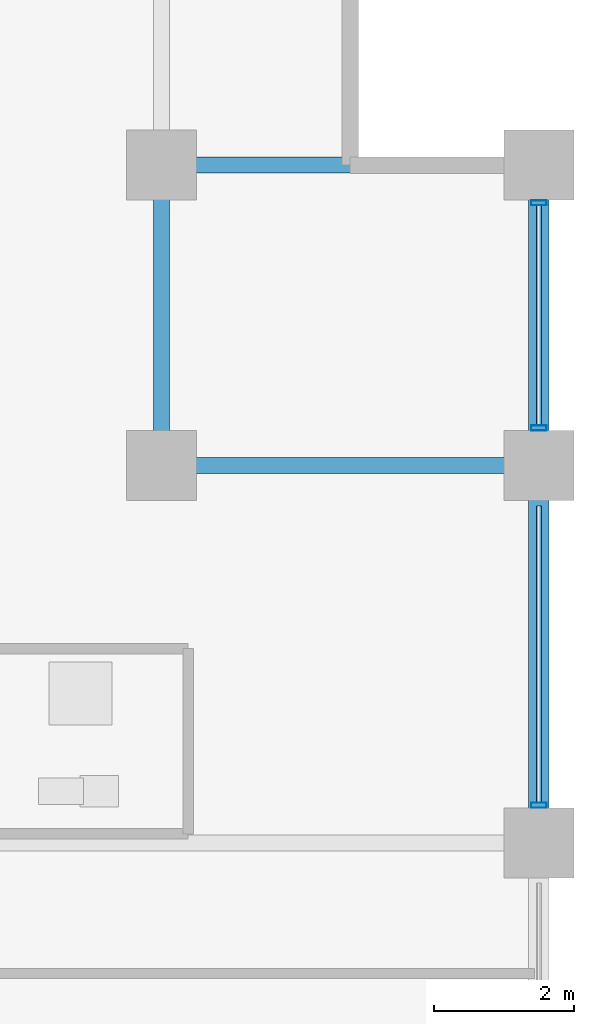
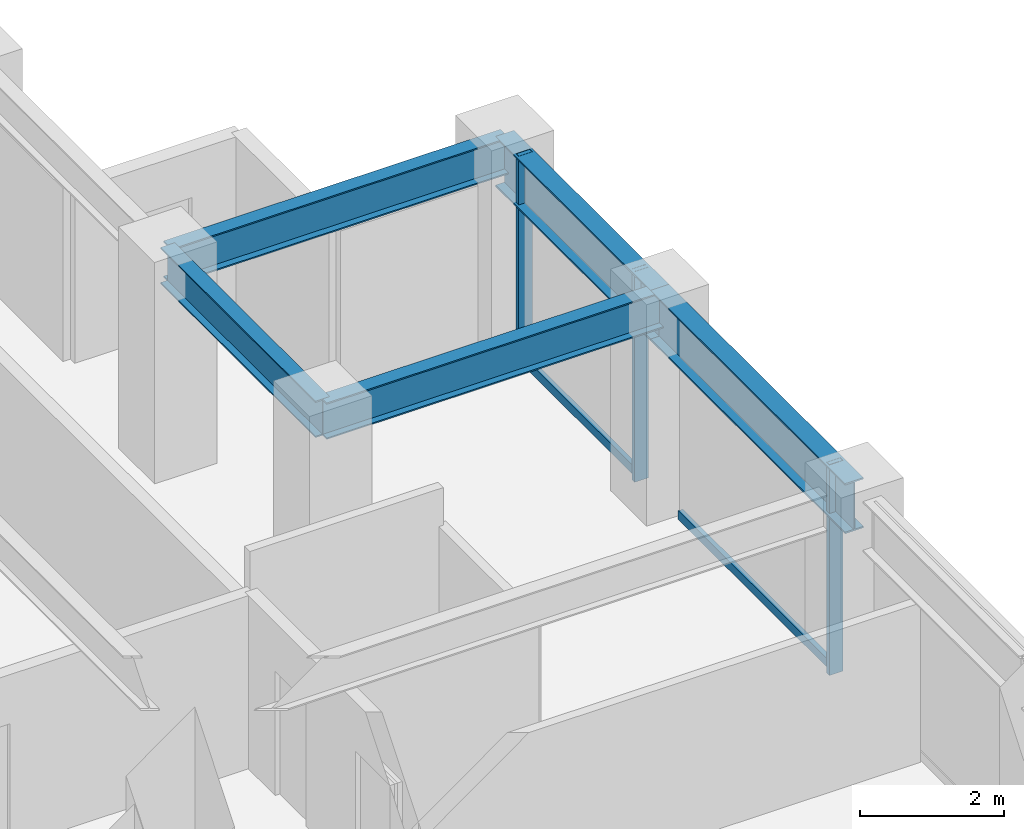
# One storey, part 15 of 23: 5 beams, 5 members, 1 element without a shape of its own.
"""IFC4 building model written with IfcOpenShell, lengths in metres."""

from ifc_helpers import new_model, si_unit, direction, frame, origin, origin_2d, place, context, subcontext, project, spatial, hollow_rectangle, i_section, extrude, material, layer, layer_set, material_profile, profile_set, type_object, element, aggregate, save


model = new_model("IFC4")

# Units and contexts
model_context = context("Model", 3, precision=1e-05, world=origin(), true_north=direction((0.0, 1.0)))
body_context = subcontext(model_context, "Body", "Model", "MODEL_VIEW")
ifc_project = project(units=[si_unit("LENGTHUNIT", "METRE"), si_unit("AREAUNIT", "SQUARE_METRE"), si_unit("VOLUMEUNIT", "CUBIC_METRE"), si_unit("PLANEANGLEUNIT", "RADIAN"), si_unit("MASSUNIT", "GRAM", prefix="KILO")], contexts=[model_context])

# Site, building, storey
site_placement = place(None, origin())
site = spatial("IfcSite", under=ifc_project, at=site_placement, CompositionType="ELEMENT")
building_placement = place(site_placement, origin())
building = spatial("IfcBuilding", under=site, at=building_placement, Name="Surkhivell Harbour Commons", CompositionType="ELEMENT")
storey_placement = place(building_placement, frame((0.0, 0.0, 135.75)))
storey = spatial("IfcBuildingStorey", under=building, at=storey_placement, Name="L35", CompositionType="ELEMENT", Elevation=135.75)

# Beams
ifc_material_1 = material(Name="Steel S355", Category="steel")
ifc_material_profile_1 = material_profile(ifc_material_1, i_section(OverallWidth=0.22998046875, OverallDepth=0.616943359375, WebThickness=0.01318359375, FlangeThickness=0.022216796875, at=origin_2d()), Name="UB610x229x140")
ifc_profile_set_1 = profile_set([ifc_material_profile_1], Name="Steel S355")
beam_type_1 = type_object("IfcBeamType", Name="BM-GRD-610B", PredefinedType="BEAM", material=ifc_profile_set_1)
beam_1_placement = place(storey_placement, frame((16.199951171875, 16.199951171875, 3.261474609375), z_axis=(0.0, 1.0, 0.0), x_axis=(-1.0, 0.0, 0.0)))
element("IfcBeam", 1, at=beam_1_placement, inside=storey, type_object=beam_type_1, Name="L35 Floor Girder (16.2,16.2)", PredefinedType="BEAM", context=body_context, shape_type="SweptSolid", body=[
    extrude(i_section(OverallWidth=0.22998046875, OverallDepth=0.616943359375, WebThickness=0.01318359375, FlangeThickness=0.022216796875, at=origin_2d()), origin(), (0.0, 0.0, 1.0), 4.300048828125),
])
for number, where, z_axis, x_axis, name in (
    (2, (16.199951171875, 16.199951171875, 3.261474609375), (1.0, 0.0, 0.0), (0.0, 1.0, 0.0), "L35 Floor Girder (16.2,16.2)"),
    (3, (16.199951171875, 20.5, 3.261474609375), (1.0, 0.0, 0.0), (0.0, 1.0, 0.0), "L35 Floor Girder (16.2,20.5)"),
):
    element("IfcBeam", number, at=place(storey_placement, frame(where, z_axis=z_axis, x_axis=x_axis)), inside=storey, type_object=beam_type_1, Name=name, PredefinedType="BEAM", context=body_context, shape_type="SweptSolid", body=[
        extrude(i_section(OverallWidth=0.22998046875, OverallDepth=0.616943359375, WebThickness=0.01318359375, FlangeThickness=0.022216796875, at=origin_2d()), origin(), (0.0, 0.0, 1.0), 5.400146484375),
    ])
ifc_material_2 = material(Name="Steel S460", Category="steel")
ifc_material_profile_2 = material_profile(ifc_material_2, i_section(OverallWidth=0.2939453125, OverallDepth=0.85107421875, WebThickness=0.01611328125, FlangeThickness=0.02685546875, at=origin_2d()), Name="UB838x292x226")
ifc_profile_set_2 = profile_set([ifc_material_profile_2], Name="Steel S460")
beam_type_2 = type_object("IfcBeamType", Name="BM-SPN-838", PredefinedType="SPANDREL", material=ifc_profile_set_2)
beam_2_placement = place(storey_placement, frame((21.60009765625, 10.800048828125, 3.14453125), z_axis=(0.0, 1.0, 0.0), x_axis=(-1.0, 0.0, 0.0)))
element("IfcBeam", 4, at=beam_2_placement, inside=storey, type_object=beam_type_2, Name="L35 Tube Spandrel (21.6,10.8)", PredefinedType="SPANDREL", context=body_context, shape_type="SweptSolid", body=[
    extrude(i_section(OverallWidth=0.2939453125, OverallDepth=0.85107421875, WebThickness=0.01611328125, FlangeThickness=0.02685546875, at=origin_2d()), origin(), (0.0, 0.0, 1.0), 5.39990234375),
])
beam_3_placement = place(storey_placement, frame((21.60009765625, 16.199951171875, 3.14453125), z_axis=(0.0, 1.0, 0.0), x_axis=(-1.0, 0.0, 0.0)))
element("IfcBeam", 5, at=beam_3_placement, inside=storey, type_object=beam_type_2, Name="L35 Tube Spandrel (21.6,16.2)", PredefinedType="SPANDREL", context=body_context, shape_type="SweptSolid", body=[
    extrude(i_section(OverallWidth=0.2939453125, OverallDepth=0.85107421875, WebThickness=0.01611328125, FlangeThickness=0.02685546875, at=origin_2d()), origin(), (0.0, 0.0, 1.0), 4.300048828125),
])

# Curtain wall, members
ifc_material_3 = material(Name="Anodised pale-metal aluminium and insulated glazing", Category="aluminium")
ifc_layer = layer(ifc_material_3, 0.205078125)
ifc_layer_set = layer_set([ifc_layer], Name="Anodised pale-metal aluminium and insulated glazing")
curtain_wall_type = type_object("IfcCurtainWallType", Name="CW-SYS-Z2", PredefinedType="NOTDEFINED", material=ifc_layer_set)
curtain_wall_placement = place(storey_placement, origin())
curtain_wall = element("IfcCurtainWall", 6, at=curtain_wall_placement, inside=storey, type_object=curtain_wall_type, Name="L35 Curtain Wall CW-L35-E02", PredefinedType="NOTDEFINED")
ifc_material_4 = material(Name="Anodised pale-metal aluminium alloy 6063-T6", Category="aluminium")
ifc_material_profile_3 = material_profile(ifc_material_4, hollow_rectangle(XDim=0.074951171875, YDim=0.219970703125, WallThickness=0.00390625, at=origin_2d()), Name="ALU-MULL-75x220")
ifc_profile_set_3 = profile_set([ifc_material_profile_3], Name="Anodised pale-metal aluminium alloy 6063-T6")
member_type_1 = type_object("IfcMemberType", Name="CWM-220", PredefinedType="MULLION", material=ifc_profile_set_3)
member_1_placement = place(storey_placement, frame((21.60009765625, 11.339599609375, 0.0), z_axis=(0.0, 0.0, 1.0), x_axis=(0.0, 1.0, 0.0)))
member_1 = element("IfcMember", 7, at=member_1_placement, type_object=member_type_1, Name="CW-Z2 mullion 4", PredefinedType="MULLION", context=body_context, shape_type="SweptSolid", body=[
    extrude(hollow_rectangle(XDim=0.074951171875, YDim=0.219970703125, WallThickness=0.00390625, at=origin_2d()), origin(), (0.0, 0.0, 1.0), 3.570068359375),
])
member_2_placement = place(storey_placement, frame((21.60009765625, 16.739501953125, 0.0), z_axis=(0.0, 0.0, 1.0), x_axis=(0.0, 1.0, 0.0)))
member_2 = element("IfcMember", 8, at=member_2_placement, type_object=member_type_1, Name="CW-Z2 mullion 5", PredefinedType="MULLION", context=body_context, shape_type="SweptSolid", body=[
    extrude(hollow_rectangle(XDim=0.074951171875, YDim=0.219970703125, WallThickness=0.00390625, at=origin_2d()), origin(), (0.0, 0.0, 1.0), 3.570068359375),
])
member_3_placement = place(storey_placement, frame((21.60009765625, 19.96044921875, 0.0), z_axis=(0.0, 0.0, 1.0), x_axis=(0.0, 1.0, 0.0)))
member_3 = element("IfcMember", 9, at=member_3_placement, type_object=member_type_1, Name="CW-Z2 mullion 6", PredefinedType="MULLION", context=body_context, shape_type="SweptSolid", body=[
    extrude(hollow_rectangle(XDim=0.074951171875, YDim=0.219970703125, WallThickness=0.00390625, at=origin_2d()), origin(), (0.0, 0.0, 1.0), 3.570068359375),
])
ifc_material_profile_4 = material_profile(ifc_material_4, hollow_rectangle(XDim=0.074951171875, YDim=0.14990234375, WallThickness=0.00341796875, at=origin_2d()), Name="ALU-TRAN-75x150")
ifc_profile_set_4 = profile_set([ifc_material_profile_4], Name="Anodised pale-metal aluminium alloy 6063-T6")
member_type_2 = type_object("IfcMemberType", Name="CWT-150", PredefinedType="USERDEFINED", material=ifc_profile_set_4)
member_4_placement = place(storey_placement, frame((21.60009765625, 11.376953125, 0.074951171875), z_axis=(0.0, 1.0, 0.0), x_axis=(-1.0, 0.0, 0.0)))
member_4 = element("IfcMember", 10, at=member_4_placement, type_object=member_type_2, Name="CW-Z2 transom 4.1", ObjectType="TRANSOM", PredefinedType="USERDEFINED", context=body_context, shape_type="SweptSolid", body=[
    extrude(hollow_rectangle(XDim=0.074951171875, YDim=0.14990234375, WallThickness=0.00341796875, at=origin_2d()), origin(), (0.0, 0.0, 1.0), 4.24609375),
])
member_5_placement = place(storey_placement, frame((21.60009765625, 16.777099609375, 0.074951171875), z_axis=(0.0, 1.0, 0.0), x_axis=(-1.0, 0.0, 0.0)))
member_5 = element("IfcMember", 11, at=member_5_placement, type_object=member_type_2, Name="CW-Z2 transom 5.1", ObjectType="TRANSOM", PredefinedType="USERDEFINED", context=body_context, shape_type="SweptSolid", body=[
    extrude(hollow_rectangle(XDim=0.074951171875, YDim=0.14990234375, WallThickness=0.00341796875, at=origin_2d()), origin(), (0.0, 0.0, 1.0), 3.14599609375),
])
aggregate(curtain_wall, [member_1, member_4, member_2, member_3, member_5])

save(model, "model.ifc")
